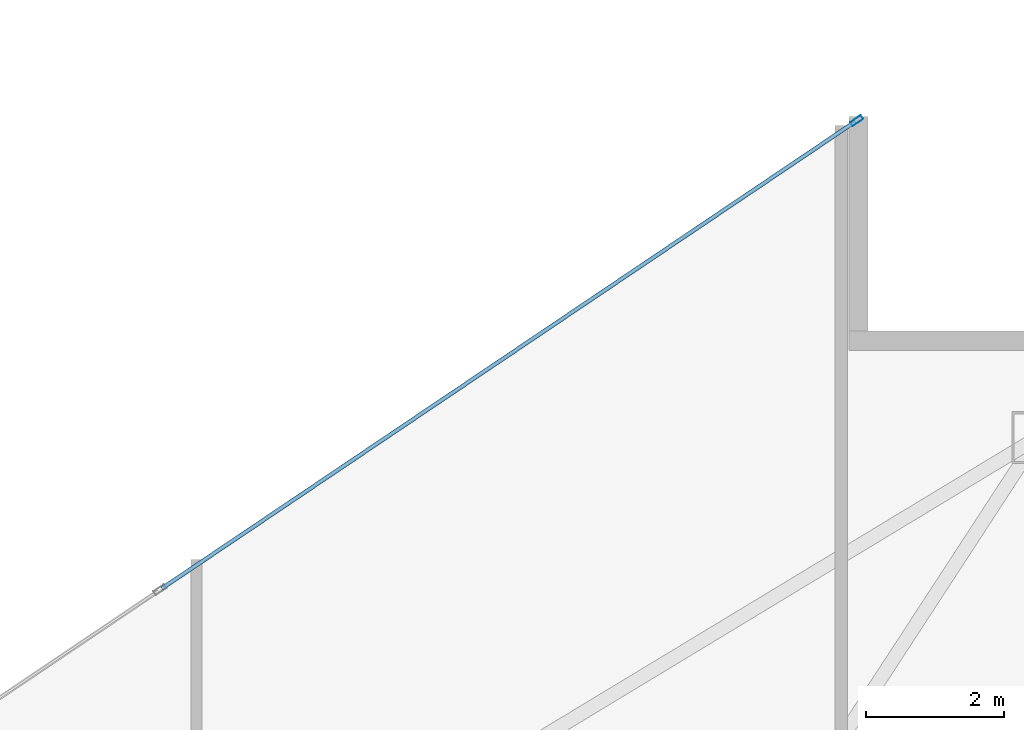
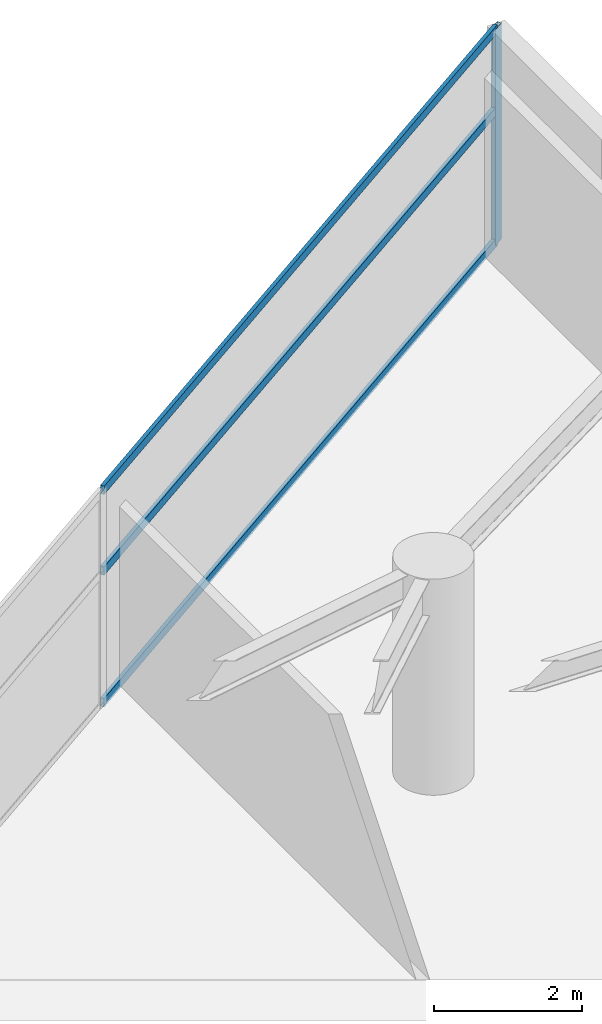
# One storey, part 22 of 30: 4 members, 1 element without a shape of its own.
"""IFC4 building model written with IfcOpenShell, lengths in metres."""

import ifcopenshell
import ifcopenshell.guid

model = None  # the IFC model being written
_history = None  # IfcOwnerHistory: only IFC2X3 demands one
_inside = {}  # id of a spatial element -> (the spatial element, [elements in it])
_under = {}  # id of a project, library or spatial element -> (it, [spatial elements below it])
_declared = {}  # id of a project -> (the project, [libraries it declares])
_typed = {}  # id of a type object -> (the type object, [elements of that type])
_made_of = {}  # id of a material, layer set ... -> (it, [elements and type objects made of it])


def new_model(schema):
    """Start an empty IFC model of exactly this schema.

    Asked for "IFC4X3", IfcOpenShell would pick the latest addendum, in which some entities
    have other attributes; the version numbers below select the first issue.
    IFC2X3 requires an IfcOwnerHistory on every rooted entity: one is made here for all.
    """
    global model, _history
    if schema == "IFC4X3":
        model = ifcopenshell.file(schema_version=(4, 3, 0, 0))
    else:
        model = ifcopenshell.file(schema=schema)
    _inside.clear()
    _under.clear()
    _declared.clear()
    _typed.clear()
    _made_of.clear()
    _history = None
    if model.schema == "IFC2X3":
        org = make("IfcOrganization", Name="unknown")
        user = make(
            "IfcPersonAndOrganization",
            ThePerson=make("IfcPerson", FamilyName="unknown"),
            TheOrganization=org,
        )
        app = make(
            "IfcApplication",
            ApplicationDeveloper=org,
            Version="unknown",
            ApplicationFullName="unknown",
            ApplicationIdentifier="unknown",
        )
        _history = make(
            "IfcOwnerHistory",
            OwningUser=user,
            OwningApplication=app,
            ChangeAction="ADDED",
            CreationDate=0,
        )
    return model


def make(cls, **values):
    """One entity of the class cls with the attributes given. An attribute that is None is left unset."""
    return model.create_entity(
        cls, **{name: value for name, value in values.items() if value is not None}
    )


def rooted(cls, **values):
    """An entity with a GlobalId (a new one), such as an element, a storey or a relation."""
    return make(cls, GlobalId=ifcopenshell.guid.new(), OwnerHistory=_history, **values)


def si_unit(unit_type, name, prefix=None):
    """IfcSIUnit, for example si_unit("LENGTHUNIT", "METRE", prefix="MILLI")."""
    return make("IfcSIUnit", UnitType=unit_type, Prefix=prefix, Name=name)


def assignment(units):
    """IfcUnitAssignment: the units of a project."""
    return None if units is None else make("IfcUnitAssignment", Units=units)


def point(xyz):
    """IfcCartesianPoint."""
    return None if xyz is None else make("IfcCartesianPoint", Coordinates=xyz)


def direction(xyz):
    """IfcDirection."""
    return None if xyz is None else make("IfcDirection", DirectionRatios=xyz)


def frame(location, z_axis=None, x_axis=None):
    """IfcAxis2Placement3D, a coordinate frame: its origin and axes. An axis left out is left unset."""
    return make(
        "IfcAxis2Placement3D",
        Location=point(location),
        Axis=direction(z_axis),
        RefDirection=direction(x_axis),
    )


def frame_2d(location, x_axis=None):
    """IfcAxis2Placement2D, a coordinate frame in the plane: its origin and x axis."""
    return make(
        "IfcAxis2Placement2D", Location=point(location), RefDirection=direction(x_axis)
    )


def origin():
    """The frame at (0, 0, 0) with its axes left unset."""
    return frame((0.0, 0.0, 0.0))


def origin_2d():
    """The frame at (0, 0) in the plane with its x axis left unset."""
    return frame_2d((0.0, 0.0))


def place(relative_to, where):
    """IfcLocalPlacement: puts the frame where relative to a parent placement (None: the world)."""
    return make(
        "IfcLocalPlacement", PlacementRelTo=relative_to, RelativePlacement=where
    )


def context(
    kind, dimensions, precision=None, world=None, true_north=None, identifier=None
):
    """IfcGeometricRepresentationContext, for example the 3D "Model" context."""
    return make(
        "IfcGeometricRepresentationContext",
        ContextIdentifier=identifier,
        ContextType=kind,
        CoordinateSpaceDimension=dimensions,
        Precision=precision,
        WorldCoordinateSystem=world,
        TrueNorth=true_north,
    )


def subcontext(parent, identifier, kind, view, scale=None):
    """IfcGeometricRepresentationSubContext, for example "Body" below "Model"."""
    return make(
        "IfcGeometricRepresentationSubContext",
        ContextIdentifier=identifier,
        ContextType=kind,
        ParentContext=parent,
        TargetScale=scale,
        TargetView=view,
    )


def project(units=None, contexts=None):
    """IfcProject with its units and contexts."""
    return rooted(
        "IfcProject",
        Name="project",
        RepresentationContexts=contexts,
        UnitsInContext=assignment(units),
    )


def spatial(cls, under=None, at=None, **own):
    """A site, building, storey or space (cls), placed at a placement, below another one or the project."""
    s = rooted(cls, ObjectPlacement=at, **own)
    if under is not None:
        _under.setdefault(under.id(), (under, []))[1].append(s)
    return s


def profile(cls, at=None, kind="AREA", **sizes):
    """A parametric profile (cls). Its sizes go by their IFC names, for example OverallWidth=200.0."""
    return make(cls, ProfileType=kind, Position=at, **sizes)


def hollow_rectangle(**sizes):
    """IfcRectangleHollowProfileDef."""
    return profile("IfcRectangleHollowProfileDef", **sizes)


def extrude(swept, where, along, depth):
    """IfcExtrudedAreaSolid: the profile swept, set in the frame where, extruded along a direction by depth."""
    return make(
        "IfcExtrudedAreaSolid",
        SweptArea=swept,
        Position=where,
        ExtrudedDirection=direction(along),
        Depth=depth,
    )


def shape(context_of_items, identifier, shape_type, items):
    """IfcShapeRepresentation: the items that make up one representation, for example the "Body"."""
    return make(
        "IfcShapeRepresentation",
        ContextOfItems=context_of_items,
        RepresentationIdentifier=identifier,
        RepresentationType=shape_type,
        Items=items,
    )


def material(Name=None, Category=None):
    """IfcMaterial."""
    return make("IfcMaterial", Name=Name, Category=Category)


def layer(
    of_material, thickness, ventilated=None, Name=None, Category=None, Priority=None
):
    """IfcMaterialLayer: one layer of a wall or slab, of a material (None: an air gap)."""
    return make(
        "IfcMaterialLayer",
        Material=of_material,
        LayerThickness=thickness,
        IsVentilated=ventilated,
        Name=Name,
        Category=Category,
        Priority=Priority,
    )


def layer_set(layers, Name=None):
    """IfcMaterialLayerSet."""
    return make("IfcMaterialLayerSet", MaterialLayers=layers, LayerSetName=Name)


def material_profile(
    of_material, cross_section, Name=None, Category=None, Priority=None
):
    """IfcMaterialProfile: a cross section and its material."""
    return make(
        "IfcMaterialProfile",
        Name=Name,
        Material=of_material,
        Profile=cross_section,
        Priority=Priority,
        Category=Category,
    )


def profile_set(profiles, Name=None, composite=None):
    """IfcMaterialProfileSet."""
    return make(
        "IfcMaterialProfileSet",
        Name=Name,
        MaterialProfiles=profiles,
        CompositeProfile=composite,
    )


def made_of(thing, what):
    """Note that an element or type object is made of a material, layer set ...; save() writes the relation."""
    if what is not None:
        _made_of.setdefault(what.id(), (what, []))[1].append(thing)
    return thing


def type_object(cls, material=None, **own):
    """A type object (cls), such as IfcWallType, which elements share."""
    return made_of(rooted(cls, **own), material)


def element(
    cls,
    number,
    at=None,
    inside=None,
    cuts=None,
    type_object=None,
    material=None,
    context=None,
    identifier="Body",
    shape_type=None,
    held_by="IfcProductDefinitionShape",
    body=None,
    shapes=None,
    **own,
):
    """One element of the class cls, such as IfcWall. Its Tag is "e" and its number.

    at: its placement. inside: the storey or other place that contains it. cuts: it is an
    opening in that element (IfcRelVoidsElement). A single representation is given by context,
    identifier, shape_type and body (its items); several are given by shapes. held_by: the class
    of the entity that holds the representations. save() writes the other relations.
    """
    e = rooted(cls, Tag="e%d" % number, ObjectPlacement=at, **own)
    if body is not None:
        shapes = [shape(context, identifier, shape_type, body)]
    if shapes is not None:
        e.Representation = make(held_by, Representations=shapes)
    if inside is not None:
        _inside.setdefault(inside.id(), (inside, []))[1].append(e)
    if cuts is not None:
        rooted(
            "IfcRelVoidsElement", RelatingBuildingElement=cuts, RelatedOpeningElement=e
        )
    if type_object is not None:
        _typed.setdefault(type_object.id(), (type_object, []))[1].append(e)
    return made_of(e, material)


def aggregate(whole, parts):
    """IfcRelAggregates: a whole, such as a stair, and the parts it consists of."""
    return rooted("IfcRelAggregates", RelatingObject=whole, RelatedObjects=parts)


def save(model, path):
    """Write the relations noted so far, then the file.

    IfcRelAggregates (storeys below a building ...), IfcRelContainedInSpatialStructure (elements
    in a storey), IfcRelDefinesByType, IfcRelAssociatesMaterial and IfcRelDeclares: one each for
    every whole, place, type object, material and project.
    """
    for whole, parts in _under.values():
        aggregate(whole, parts)
    for where, things in _inside.values():
        rooted(
            "IfcRelContainedInSpatialStructure",
            RelatedElements=things,
            RelatingStructure=where,
        )
    for kind, things in _typed.values():
        rooted("IfcRelDefinesByType", RelatedObjects=things, RelatingType=kind)
    for what, things in _made_of.values():
        rooted("IfcRelAssociatesMaterial", RelatedObjects=things, RelatingMaterial=what)
    for by, libraries in _declared.values():
        rooted("IfcRelDeclares", RelatingContext=by, RelatedDefinitions=libraries)
    model.write(path)


model = new_model("IFC4")

# Units and contexts
model_context = context("Model", 3, precision=1e-05, world=origin(), true_north=direction((0.0, 1.0)))
body_context = subcontext(model_context, "Body", "Model", "MODEL_VIEW")
ifc_project = project(units=[si_unit("LENGTHUNIT", "METRE"), si_unit("AREAUNIT", "SQUARE_METRE"), si_unit("VOLUMEUNIT", "CUBIC_METRE"), si_unit("PLANEANGLEUNIT", "RADIAN"), si_unit("MASSUNIT", "GRAM", prefix="KILO")], contexts=[model_context])

# Site, building, storey
site_placement = place(None, origin())
site = spatial("IfcSite", under=ifc_project, at=site_placement, CompositionType="ELEMENT")
building_placement = place(site_placement, origin())
building = spatial("IfcBuilding", under=site, at=building_placement, Name="Calvorn Quay Hotel", CompositionType="ELEMENT")
storey_placement = place(building_placement, frame((0.0, 0.0, 191.300048828125)))
storey = spatial("IfcBuildingStorey", under=building, at=storey_placement, Name="L47", CompositionType="ELEMENT", Elevation=191.300048828125)

# Curtain wall, members
ifc_material_1 = material(Name="Champagne Bronze Anodised Aluminium and Low-E Glass", Category="aluminium")
ifc_layer = layer(ifc_material_1, 0.219970703125)
ifc_layer_set = layer_set([ifc_layer], Name="CW-SYS-Z3")
curtain_wall_type = type_object("IfcCurtainWallType", Name="CW-SYS-Z3", PredefinedType="NOTDEFINED", material=ifc_layer_set)
curtain_wall_placement = place(storey_placement, origin())
curtain_wall = element("IfcCurtainWall", 1, at=curtain_wall_placement, inside=storey, type_object=curtain_wall_type, Name="Inner Court Curtain Wall L47-NE1", PredefinedType="NOTDEFINED")
ifc_material_2 = material(Name="Champagne Bronze Anodised Aluminium 6063-T6", Category="aluminium")
ifc_material_profile_1 = material_profile(ifc_material_2, hollow_rectangle(XDim=0.068115234375, YDim=0.18505859375, WallThickness=0.00390625, at=origin_2d()), Name="ALU-M185x68x4")
ifc_profile_set_1 = profile_set([ifc_material_profile_1], Name="Champagne Bronze Anodised Aluminium 6063-T6")
member_type_1 = type_object("IfcMemberType", Name="CW-SYS-Z3-MUL", PredefinedType="MULLION", material=ifc_profile_set_1)
member_1_placement = place(storey_placement, frame((41.775146484375, 37.983154296875, 0.0), z_axis=(0.0, 0.0, 1.0), x_axis=(0.558485062395, -0.82951457798, 0.0)))
member_1 = element("IfcMember", 2, at=member_1_placement, type_object=member_type_1, Name="CW-L47-NE1 mullion 1", PredefinedType="MULLION", context=body_context, shape_type="SweptSolid", body=[
    extrude(hollow_rectangle(XDim=0.068115234375, YDim=0.18505859375, WallThickness=0.00390625, at=origin_2d()), origin(), (0.0, 0.0, 1.0), 3.56005859375),
])
ifc_material_3 = material(Name="Champagne Bronze Anodised Aluminium 6063-T6", Category="aluminium")
ifc_material_profile_2 = material_profile(ifc_material_3, hollow_rectangle(XDim=0.05810546875, YDim=0.139892578125, WallThickness=0.003173828125, at=origin_2d()), Name="ALU-T140x58x3.2")
ifc_profile_set_2 = profile_set([ifc_material_profile_2], Name="Champagne Bronze Anodised Aluminium 6063-T6")
member_type_2 = type_object("IfcMemberType", Name="CW-SYS-Z3-TRN", PredefinedType="USERDEFINED", material=ifc_profile_set_2)
member_2_placement = place(storey_placement, frame((41.750244140625, 37.966552734375, 0.030029296875), z_axis=(-0.82951504126, -0.558484374287, 0.0), x_axis=(0.558484374287, -0.82951504126, 0.0)))
member_2 = element("IfcMember", 3, at=member_2_placement, type_object=member_type_2, Name="CW-L47-NE1 transom 1.1", ObjectType="TRANSOM", PredefinedType="USERDEFINED", context=body_context, shape_type="SweptSolid", body=[
    extrude(hollow_rectangle(XDim=0.05810546875, YDim=0.139892578125, WallThickness=0.003173828125, at=origin_2d()), origin(), (0.0, 0.0, 1.0), 12.0859375),
])
member_3_placement = place(storey_placement, frame((41.750244140625, 37.966552734375, 2.199951171875), z_axis=(-0.82951504126, -0.558484374287, 0.0), x_axis=(0.558484374287, -0.82951504126, 0.0)))
member_3 = element("IfcMember", 4, at=member_3_placement, type_object=member_type_2, Name="CW-L47-NE1 transom 1.2", ObjectType="TRANSOM", PredefinedType="USERDEFINED", context=body_context, shape_type="SweptSolid", body=[
    extrude(hollow_rectangle(XDim=0.05810546875, YDim=0.139892578125, WallThickness=0.003173828125, at=origin_2d()), origin(), (0.0, 0.0, 1.0), 12.0859375),
])
member_4_placement = place(storey_placement, frame((41.750244140625, 37.966552734375, 3.530029296875), z_axis=(-0.82951504126, -0.558484374287, 0.0), x_axis=(0.558484374287, -0.82951504126, 0.0)))
member_4 = element("IfcMember", 5, at=member_4_placement, type_object=member_type_2, Name="CW-L47-NE1 transom 1.3", ObjectType="TRANSOM", PredefinedType="USERDEFINED", context=body_context, shape_type="SweptSolid", body=[
    extrude(hollow_rectangle(XDim=0.05810546875, YDim=0.139892578125, WallThickness=0.003173828125, at=origin_2d()), origin(), (0.0, 0.0, 1.0), 12.0859375),
])
aggregate(curtain_wall, [member_1, member_2, member_3, member_4])

save(model, "model.ifc")
